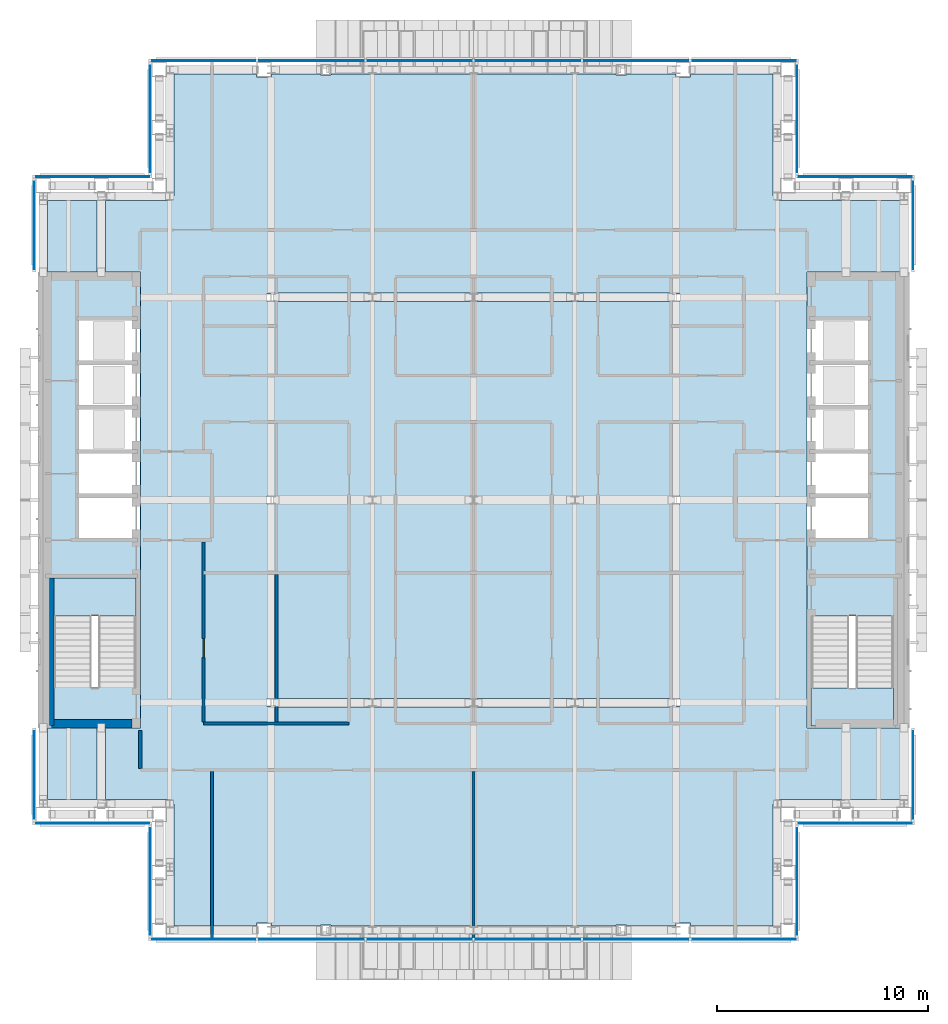
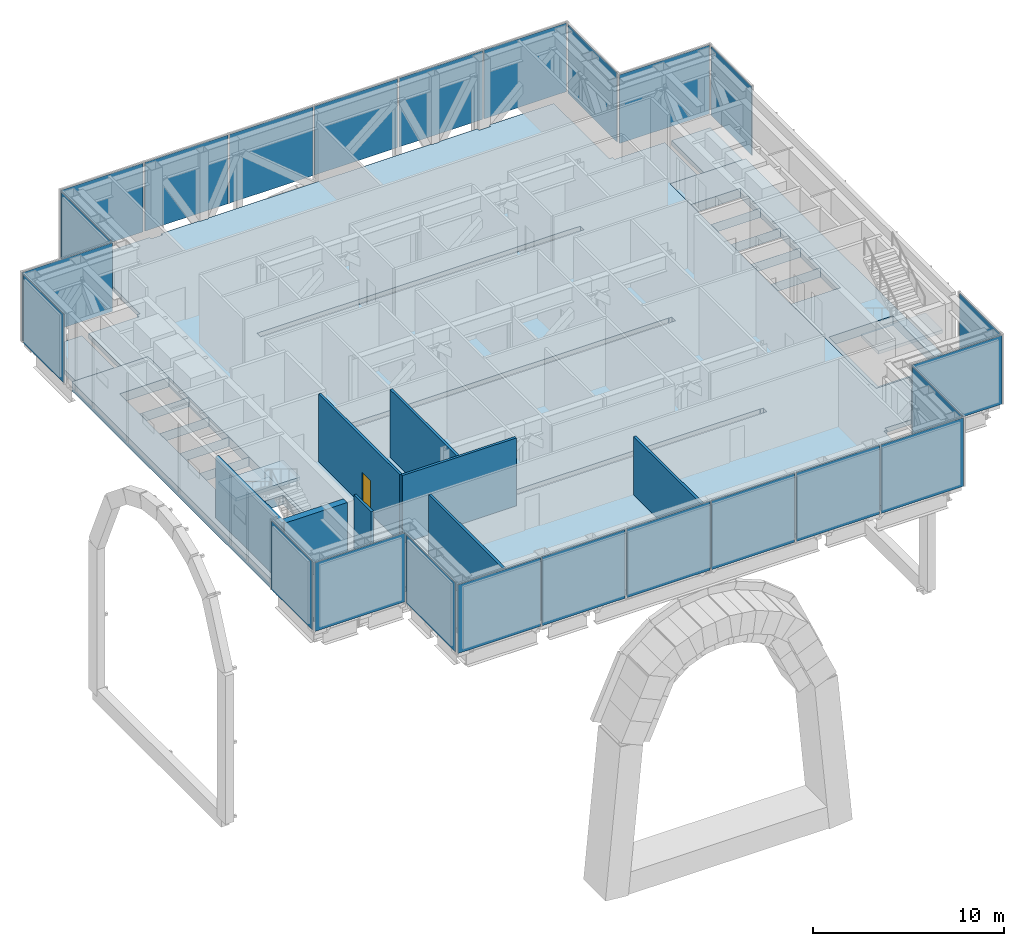
# One storey, part 10 of 26: 24 plates, 9 slabs, 8 walls, 1 door, 1 opening, 16 elements without a shape of their own.
"""IFC4 building model written with IfcOpenShell, lengths in metres."""

from ifc_helpers import new_model, si_unit, direction, frame, frame_2d, origin, origin_2d, place, context, subcontext, project, spatial, polyline, rectangle, outline, extrude, material, layer, layer_set, type_object, element, fill, aggregate, save


model = new_model("IFC4")

# Units and contexts
model_context = context("Model", 3, precision=1e-05, world=origin(), true_north=direction((0.0, 1.0)))
body_context = subcontext(model_context, "Body", "Model", "MODEL_VIEW")
ifc_project = project(units=[si_unit("LENGTHUNIT", "METRE"), si_unit("AREAUNIT", "SQUARE_METRE"), si_unit("VOLUMEUNIT", "CUBIC_METRE"), si_unit("PLANEANGLEUNIT", "RADIAN"), si_unit("MASSUNIT", "GRAM", prefix="KILO")], contexts=[model_context])

# Site, building, storey
site_placement = place(None, origin())
site = spatial("IfcSite", under=ifc_project, at=site_placement, CompositionType="ELEMENT")
building_placement = place(site_placement, origin())
building = spatial("IfcBuilding", under=site, at=building_placement, Name="Cobrizo Arcos Hotel Tower", CompositionType="ELEMENT")
storey_placement = place(building_placement, frame((0.0, 0.0, 236.5)))
storey = spatial("IfcBuildingStorey", under=building, at=storey_placement, Name="L62", CompositionType="ELEMENT", Elevation=236.5)

# Curtain wall, plates
ifc_material_1 = material(Name="Aluminium 6063-T6 anodised bronze", Category="aluminium")
curtain_wall_type = type_object("IfcCurtainWallType", Name="CW-D plant louvre wall", PredefinedType="NOTDEFINED", material=ifc_material_1)
curtain_wall_1_placement = place(storey_placement, origin())
curtain_wall_1 = element("IfcCurtainWall", 1, at=curtain_wall_1_placement, inside=storey, type_object=curtain_wall_type, Name="CW-D L62 S face", PredefinedType="NOTDEFINED")
ifc_material_2 = material(Name="Aluminium composite panel pale metal", Category="aluminium")
ifc_layer_1 = layer(ifc_material_2, 0.06005859375)
ifc_layer_set_1 = layer_set([ifc_layer_1], Name="CW-D spandrel panel")
plate_type = type_object("IfcPlateType", Name="CW-D spandrel panel", PredefinedType="CURTAIN_PANEL", material=ifc_layer_set_1)
plate_1_placement = place(storey_placement, frame((-12.808349609375, -20.824951171875, 0.0), z_axis=(0.0, 0.0, 1.0), x_axis=(1.0, 0.0, 0.0)))
plate_1 = element("IfcPlate", 2, at=plate_1_placement, type_object=plate_type, Name="CW-D insulated panel 1988", PredefinedType="CURTAIN_PANEL", context=body_context, shape_type="SweptSolid", body=[
    extrude(rectangle(XDim=4.9833984375, YDim=0.0400390625, at=origin_2d()), origin(), (0.0, 0.0, 1.0), 4.39990234375),
])
plate_2_placement = place(storey_placement, frame((-7.699951171875, -20.824951171875, 0.0), z_axis=(0.0, 0.0, 1.0), x_axis=(1.0, 0.0, 0.0)))
plate_2 = element("IfcPlate", 3, at=plate_2_placement, type_object=plate_type, Name="CW-D insulated panel 1989", PredefinedType="CURTAIN_PANEL", context=body_context, shape_type="SweptSolid", body=[
    extrude(rectangle(XDim=5.033447265625, YDim=0.0400390625, at=origin_2d()), origin(), (0.0, 0.0, 1.0), 4.39990234375),
])
plate_3_placement = place(storey_placement, frame((-2.566650390625, -20.824951171875, 0.0), z_axis=(0.0, 0.0, 1.0), x_axis=(1.0, 0.0, 0.0)))
plate_3 = element("IfcPlate", 4, at=plate_3_placement, type_object=plate_type, Name="CW-D insulated panel 1990", PredefinedType="CURTAIN_PANEL", context=body_context, shape_type="SweptSolid", body=[
    extrude(rectangle(XDim=5.033447265625, YDim=0.0400390625, at=origin_2d()), origin(), (0.0, 0.0, 1.0), 4.39990234375),
])
plate_4_placement = place(storey_placement, frame((2.566650390625, -20.824951171875, 0.0), z_axis=(0.0, 0.0, 1.0), x_axis=(1.0, 0.0, 0.0)))
plate_4 = element("IfcPlate", 5, at=plate_4_placement, type_object=plate_type, Name="CW-D insulated panel 1991", PredefinedType="CURTAIN_PANEL", context=body_context, shape_type="SweptSolid", body=[
    extrude(rectangle(XDim=5.033447265625, YDim=0.0400390625, at=origin_2d()), origin(), (0.0, 0.0, 1.0), 4.39990234375),
])
plate_5_placement = place(storey_placement, frame((7.699951171875, -20.824951171875, 0.0), z_axis=(0.0, 0.0, 1.0), x_axis=(1.0, 0.0, 0.0)))
plate_5 = element("IfcPlate", 6, at=plate_5_placement, type_object=plate_type, Name="CW-D insulated panel 1992", PredefinedType="CURTAIN_PANEL", context=body_context, shape_type="SweptSolid", body=[
    extrude(rectangle(XDim=5.033447265625, YDim=0.0400390625, at=origin_2d()), origin(), (0.0, 0.0, 1.0), 4.39990234375),
])
plate_6_placement = place(storey_placement, frame((12.808349609375, -20.824951171875, 0.0), z_axis=(0.0, 0.0, 1.0), x_axis=(1.0, 0.0, 0.0)))
plate_6 = element("IfcPlate", 7, at=plate_6_placement, type_object=plate_type, Name="CW-D insulated panel 1993", PredefinedType="CURTAIN_PANEL", context=body_context, shape_type="SweptSolid", body=[
    extrude(rectangle(XDim=4.9833984375, YDim=0.0400390625, at=origin_2d()), origin(), (0.0, 0.0, 1.0), 4.39990234375),
])
aggregate(curtain_wall_1, [plate_1, plate_2, plate_3, plate_4, plate_5, plate_6])

# Curtain wall, plate
curtain_wall_2_placement = place(storey_placement, origin())
curtain_wall_2 = element("IfcCurtainWall", 8, at=curtain_wall_2_placement, inside=storey, type_object=curtain_wall_type, Name="CW-D L62 E face", PredefinedType="NOTDEFINED")
plate_7_placement = place(storey_placement, frame((15.324951171875, -18.074951171875, 0.0), z_axis=(0.0, 0.0, 1.0), x_axis=(0.0, 1.0, 0.0)))
plate_7 = element("IfcPlate", 9, at=plate_7_placement, type_object=plate_type, Name="CW-D insulated panel 1994", PredefinedType="CURTAIN_PANEL", context=body_context, shape_type="SweptSolid", body=[
    extrude(rectangle(XDim=5.14990234375, YDim=0.0400390625, at=origin_2d()), origin(), (0.0, 0.0, 1.0), 4.39990234375),
])
aggregate(curtain_wall_2, [plate_7])

curtain_wall_3_placement = place(storey_placement, origin())
curtain_wall_3 = element("IfcCurtainWall", 10, at=curtain_wall_3_placement, inside=storey, type_object=curtain_wall_type, Name="CW-D L62 S face", PredefinedType="NOTDEFINED")
plate_8_placement = place(storey_placement, frame((18.074951171875, -15.324951171875, 0.0), z_axis=(0.0, 0.0, 1.0), x_axis=(1.0, 0.0, 0.0)))
plate_8 = element("IfcPlate", 11, at=plate_8_placement, type_object=plate_type, Name="CW-D insulated panel 1995", PredefinedType="CURTAIN_PANEL", context=body_context, shape_type="SweptSolid", body=[
    extrude(rectangle(XDim=5.449951171875, YDim=0.0400390625, at=origin_2d()), origin(), (0.0, 0.0, 1.0), 4.39990234375),
])
aggregate(curtain_wall_3, [plate_8])

curtain_wall_4_placement = place(storey_placement, origin())
curtain_wall_4 = element("IfcCurtainWall", 12, at=curtain_wall_4_placement, inside=storey, type_object=curtain_wall_type, Name="CW-D L62 E face", PredefinedType="NOTDEFINED")
plate_9_placement = place(storey_placement, frame((20.824951171875, -13.02490234375, 0.0), z_axis=(0.0, 0.0, 1.0), x_axis=(0.0, 1.0, 0.0)))
plate_9 = element("IfcPlate", 13, at=plate_9_placement, type_object=plate_type, Name="CW-D insulated panel 1996", PredefinedType="CURTAIN_PANEL", context=body_context, shape_type="SweptSolid", body=[
    extrude(rectangle(XDim=4.25, YDim=0.0400390625, at=origin_2d()), origin(), (0.0, 0.0, 1.0), 4.39990234375),
])
aggregate(curtain_wall_4, [plate_9])

curtain_wall_5_placement = place(storey_placement, origin())
curtain_wall_5 = element("IfcCurtainWall", 14, at=curtain_wall_5_placement, inside=storey, type_object=curtain_wall_type, Name="CW-D L62 E face", PredefinedType="NOTDEFINED")
plate_10_placement = place(storey_placement, frame((20.824951171875, 13.02490234375, 0.0), z_axis=(0.0, 0.0, 1.0), x_axis=(0.0, 1.0, 0.0)))
plate_10 = element("IfcPlate", 15, at=plate_10_placement, type_object=plate_type, Name="CW-D insulated panel 1997", PredefinedType="CURTAIN_PANEL", context=body_context, shape_type="SweptSolid", body=[
    extrude(rectangle(XDim=4.25, YDim=0.0400390625, at=origin_2d()), origin(), (0.0, 0.0, 1.0), 4.39990234375),
])
aggregate(curtain_wall_5, [plate_10])

curtain_wall_6_placement = place(storey_placement, origin())
curtain_wall_6 = element("IfcCurtainWall", 16, at=curtain_wall_6_placement, inside=storey, type_object=curtain_wall_type, Name="CW-D L62 N face", PredefinedType="NOTDEFINED")
plate_11_placement = place(storey_placement, frame((18.074951171875, 15.324951171875, 0.0), z_axis=(0.0, 0.0, 1.0), x_axis=(-1.0, 0.0, 0.0)))
plate_11 = element("IfcPlate", 17, at=plate_11_placement, type_object=plate_type, Name="CW-D insulated panel 1998", PredefinedType="CURTAIN_PANEL", context=body_context, shape_type="SweptSolid", body=[
    extrude(rectangle(XDim=5.449951171875, YDim=0.0400390625, at=origin_2d()), origin(), (0.0, 0.0, 1.0), 4.39990234375),
])
aggregate(curtain_wall_6, [plate_11])

curtain_wall_7_placement = place(storey_placement, origin())
curtain_wall_7 = element("IfcCurtainWall", 18, at=curtain_wall_7_placement, inside=storey, type_object=curtain_wall_type, Name="CW-D L62 E face", PredefinedType="NOTDEFINED")
plate_12_placement = place(storey_placement, frame((15.324951171875, 18.074951171875, 0.0), z_axis=(0.0, 0.0, 1.0), x_axis=(0.0, 1.0, 0.0)))
plate_12 = element("IfcPlate", 19, at=plate_12_placement, type_object=plate_type, Name="CW-D insulated panel 1999", PredefinedType="CURTAIN_PANEL", context=body_context, shape_type="SweptSolid", body=[
    extrude(rectangle(XDim=5.14990234375, YDim=0.0400390625, at=origin_2d()), origin(), (0.0, 0.0, 1.0), 4.39990234375),
])
aggregate(curtain_wall_7, [plate_12])

# Curtain wall, plates
curtain_wall_8_placement = place(storey_placement, origin())
curtain_wall_8 = element("IfcCurtainWall", 20, at=curtain_wall_8_placement, inside=storey, type_object=curtain_wall_type, Name="CW-D L62 N face", PredefinedType="NOTDEFINED")
plate_13_placement = place(storey_placement, frame((12.808349609375, 20.824951171875, 0.0), z_axis=(0.0, 0.0, 1.0), x_axis=(-1.0, 0.0, 0.0)))
plate_13 = element("IfcPlate", 21, at=plate_13_placement, type_object=plate_type, Name="CW-D insulated panel 2000", PredefinedType="CURTAIN_PANEL", context=body_context, shape_type="SweptSolid", body=[
    extrude(rectangle(XDim=4.9833984375, YDim=0.0400390625, at=origin_2d()), origin(), (0.0, 0.0, 1.0), 4.39990234375),
])
plate_14_placement = place(storey_placement, frame((7.699951171875, 20.824951171875, 0.0), z_axis=(0.0, 0.0, 1.0), x_axis=(-1.0, 0.0, 0.0)))
plate_14 = element("IfcPlate", 22, at=plate_14_placement, type_object=plate_type, Name="CW-D insulated panel 2001", PredefinedType="CURTAIN_PANEL", context=body_context, shape_type="SweptSolid", body=[
    extrude(rectangle(XDim=5.033447265625, YDim=0.0400390625, at=origin_2d()), origin(), (0.0, 0.0, 1.0), 4.39990234375),
])
plate_15_placement = place(storey_placement, frame((2.566650390625, 20.824951171875, 0.0), z_axis=(0.0, 0.0, 1.0), x_axis=(-1.0, 0.0, 0.0)))
plate_15 = element("IfcPlate", 23, at=plate_15_placement, type_object=plate_type, Name="CW-D insulated panel 2002", PredefinedType="CURTAIN_PANEL", context=body_context, shape_type="SweptSolid", body=[
    extrude(rectangle(XDim=5.033447265625, YDim=0.0400390625, at=origin_2d()), origin(), (0.0, 0.0, 1.0), 4.39990234375),
])
plate_16_placement = place(storey_placement, frame((-2.566650390625, 20.824951171875, 0.0), z_axis=(0.0, 0.0, 1.0), x_axis=(-1.0, 0.0, 0.0)))
plate_16 = element("IfcPlate", 24, at=plate_16_placement, type_object=plate_type, Name="CW-D insulated panel 2003", PredefinedType="CURTAIN_PANEL", context=body_context, shape_type="SweptSolid", body=[
    extrude(rectangle(XDim=5.033447265625, YDim=0.0400390625, at=origin_2d()), origin(), (0.0, 0.0, 1.0), 4.39990234375),
])
plate_17_placement = place(storey_placement, frame((-7.699951171875, 20.824951171875, 0.0), z_axis=(0.0, 0.0, 1.0), x_axis=(-1.0, 0.0, 0.0)))
plate_17 = element("IfcPlate", 25, at=plate_17_placement, type_object=plate_type, Name="CW-D insulated panel 2004", PredefinedType="CURTAIN_PANEL", context=body_context, shape_type="SweptSolid", body=[
    extrude(rectangle(XDim=5.033447265625, YDim=0.0400390625, at=origin_2d()), origin(), (0.0, 0.0, 1.0), 4.39990234375),
])
plate_18_placement = place(storey_placement, frame((-12.808349609375, 20.824951171875, 0.0), z_axis=(0.0, 0.0, 1.0), x_axis=(-1.0, 0.0, 0.0)))
plate_18 = element("IfcPlate", 26, at=plate_18_placement, type_object=plate_type, Name="CW-D insulated panel 2005", PredefinedType="CURTAIN_PANEL", context=body_context, shape_type="SweptSolid", body=[
    extrude(rectangle(XDim=4.9833984375, YDim=0.0400390625, at=origin_2d()), origin(), (0.0, 0.0, 1.0), 4.39990234375),
])
aggregate(curtain_wall_8, [plate_13, plate_14, plate_15, plate_16, plate_17, plate_18])

# Curtain wall, plate
curtain_wall_9_placement = place(storey_placement, origin())
curtain_wall_9 = element("IfcCurtainWall", 27, at=curtain_wall_9_placement, inside=storey, type_object=curtain_wall_type, Name="CW-D L62 W face", PredefinedType="NOTDEFINED")
plate_19_placement = place(storey_placement, frame((-15.324951171875, 18.074951171875, 0.0), z_axis=(0.0, 0.0, 1.0), x_axis=(0.0, -1.0, 0.0)))
plate_19 = element("IfcPlate", 28, at=plate_19_placement, type_object=plate_type, Name="CW-D insulated panel 2006", PredefinedType="CURTAIN_PANEL", context=body_context, shape_type="SweptSolid", body=[
    extrude(rectangle(XDim=5.14990234375, YDim=0.0400390625, at=origin_2d()), origin(), (0.0, 0.0, 1.0), 4.39990234375),
])
aggregate(curtain_wall_9, [plate_19])

curtain_wall_10_placement = place(storey_placement, origin())
curtain_wall_10 = element("IfcCurtainWall", 29, at=curtain_wall_10_placement, inside=storey, type_object=curtain_wall_type, Name="CW-D L62 N face", PredefinedType="NOTDEFINED")
plate_20_placement = place(storey_placement, frame((-18.074951171875, 15.324951171875, 0.0), z_axis=(0.0, 0.0, 1.0), x_axis=(-1.0, 0.0, 0.0)))
plate_20 = element("IfcPlate", 30, at=plate_20_placement, type_object=plate_type, Name="CW-D insulated panel 2007", PredefinedType="CURTAIN_PANEL", context=body_context, shape_type="SweptSolid", body=[
    extrude(rectangle(XDim=5.449951171875, YDim=0.0400390625, at=origin_2d()), origin(), (0.0, 0.0, 1.0), 4.39990234375),
])
aggregate(curtain_wall_10, [plate_20])

curtain_wall_11_placement = place(storey_placement, origin())
curtain_wall_11 = element("IfcCurtainWall", 31, at=curtain_wall_11_placement, inside=storey, type_object=curtain_wall_type, Name="CW-D L62 W face", PredefinedType="NOTDEFINED")
plate_21_placement = place(storey_placement, frame((-20.824951171875, 13.02490234375, 0.0), z_axis=(0.0, 0.0, 1.0), x_axis=(0.0, -1.0, 0.0)))
plate_21 = element("IfcPlate", 32, at=plate_21_placement, type_object=plate_type, Name="CW-D insulated panel 2008", PredefinedType="CURTAIN_PANEL", context=body_context, shape_type="SweptSolid", body=[
    extrude(rectangle(XDim=4.25, YDim=0.0400390625, at=origin_2d()), origin(), (0.0, 0.0, 1.0), 4.39990234375),
])
aggregate(curtain_wall_11, [plate_21])

curtain_wall_12_placement = place(storey_placement, origin())
curtain_wall_12 = element("IfcCurtainWall", 33, at=curtain_wall_12_placement, inside=storey, type_object=curtain_wall_type, Name="CW-D L62 W face", PredefinedType="NOTDEFINED")
plate_22_placement = place(storey_placement, frame((-20.824951171875, -13.02490234375, 0.0), z_axis=(0.0, 0.0, 1.0), x_axis=(0.0, -1.0, 0.0)))
plate_22 = element("IfcPlate", 34, at=plate_22_placement, type_object=plate_type, Name="CW-D insulated panel 2009", PredefinedType="CURTAIN_PANEL", context=body_context, shape_type="SweptSolid", body=[
    extrude(rectangle(XDim=4.25, YDim=0.0400390625, at=origin_2d()), origin(), (0.0, 0.0, 1.0), 4.39990234375),
])
aggregate(curtain_wall_12, [plate_22])

curtain_wall_13_placement = place(storey_placement, origin())
curtain_wall_13 = element("IfcCurtainWall", 35, at=curtain_wall_13_placement, inside=storey, type_object=curtain_wall_type, Name="CW-D L62 S face", PredefinedType="NOTDEFINED")
plate_23_placement = place(storey_placement, frame((-18.074951171875, -15.324951171875, 0.0), z_axis=(0.0, 0.0, 1.0), x_axis=(1.0, 0.0, 0.0)))
plate_23 = element("IfcPlate", 36, at=plate_23_placement, type_object=plate_type, Name="CW-D insulated panel 2010", PredefinedType="CURTAIN_PANEL", context=body_context, shape_type="SweptSolid", body=[
    extrude(rectangle(XDim=5.449951171875, YDim=0.0400390625, at=origin_2d()), origin(), (0.0, 0.0, 1.0), 4.39990234375),
])
aggregate(curtain_wall_13, [plate_23])

curtain_wall_14_placement = place(storey_placement, origin())
curtain_wall_14 = element("IfcCurtainWall", 37, at=curtain_wall_14_placement, inside=storey, type_object=curtain_wall_type, Name="CW-D L62 W face", PredefinedType="NOTDEFINED")
plate_24_placement = place(storey_placement, frame((-15.324951171875, -18.074951171875, 0.0), z_axis=(0.0, 0.0, 1.0), x_axis=(0.0, -1.0, 0.0)))
plate_24 = element("IfcPlate", 38, at=plate_24_placement, type_object=plate_type, Name="CW-D insulated panel 2011", PredefinedType="CURTAIN_PANEL", context=body_context, shape_type="SweptSolid", body=[
    extrude(rectangle(XDim=5.14990234375, YDim=0.0400390625, at=origin_2d()), origin(), (0.0, 0.0, 1.0), 4.39990234375),
])
aggregate(curtain_wall_14, [plate_24])

# Slabs
ifc_material_3 = material(Name="Concrete f'c 35 MPa", Category="concrete")
ifc_layer_2 = layer(ifc_material_3, 0.300048828125)
ifc_layer_set_2 = layer_set([ifc_layer_2], Name="Composite floor slab 300 f'c 35")
slab_type_1 = type_object("IfcSlabType", Name="Composite floor slab 300 f'c 35", PredefinedType="FLOOR", material=ifc_layer_set_2)
slab_1_placement = place(storey_placement, frame((0.0, 0.0, -0.300048828125)))
element("IfcSlab", 39, at=slab_1_placement, inside=storey, type_object=slab_type_1, Name="Floor slab S2, L62, no. 01", PredefinedType="FLOOR", context=body_context, shape_type="SweptSolid", body=[
    extrude(outline(polyline([(20.39990234375, -10.801025390625), (20.199462890625, -10.801025390625), (20.199462890625, -14.199462890625), (17.8505859375, -14.199462890625), (17.8505859375, -10.800048828125), (20.39990234375, -10.800048828125), (20.39990234375, -10.801025390625)])), origin(), (0.0, 0.0, 1.0), 0.300048828125),
])
slab_2_placement = place(storey_placement, frame((0.0, 0.0, -0.300048828125)))
element("IfcSlab", 40, at=slab_2_placement, inside=storey, type_object=slab_type_1, Name="Floor slab S2, L62, no. 02", PredefinedType="FLOOR", context=body_context, shape_type="SweptSolid", body=[
    extrude(outline(polyline([(20.39990234375, 10.800048828125), (17.8505859375, 10.800048828125), (17.8505859375, 14.199462890625), (20.199462890625, 14.199462890625), (20.199462890625, 10.801025390625), (20.39990234375, 10.801025390625), (20.39990234375, 10.800048828125)])), origin(), (0.0, 0.0, 1.0), 0.300048828125),
])
slab_3_placement = place(storey_placement, frame((0.0, 0.0, -0.300048828125)))
element("IfcSlab", 41, at=slab_3_placement, inside=storey, type_object=slab_type_1, Name="Floor slab S2, L62, no. 03", PredefinedType="FLOOR", context=body_context, shape_type="SweptSolid", body=[
    extrude(outline(polyline([(-20.39990234375, 10.801025390625), (-20.199462890625, 10.801025390625), (-20.199462890625, 14.199462890625), (-17.8505859375, 14.199462890625), (-17.8505859375, 10.800048828125), (-20.39990234375, 10.800048828125), (-20.39990234375, 10.801025390625)])), origin(), (0.0, 0.0, 1.0), 0.300048828125),
])
slab_4_placement = place(storey_placement, frame((0.0, 0.0, -0.300048828125)))
element("IfcSlab", 42, at=slab_4_placement, inside=storey, type_object=slab_type_1, Name="Floor slab S2, L62, no. 04", PredefinedType="FLOOR", context=body_context, shape_type="SweptSolid", body=[
    extrude(outline(polyline([(-20.39990234375, -10.800048828125), (-17.8505859375, -10.800048828125), (-17.8505859375, -14.199462890625), (-20.199462890625, -14.199462890625), (-20.199462890625, -10.801025390625), (-20.39990234375, -10.801025390625), (-20.39990234375, -10.800048828125)])), origin(), (0.0, 0.0, 1.0), 0.300048828125),
])
slab_5_placement = place(storey_placement, frame((0.0, 0.0, -0.300048828125)))
element("IfcSlab", 43, at=slab_5_placement, inside=storey, type_object=slab_type_1, Name="Floor slab S2, L62, no. 05", PredefinedType="FLOOR", context=body_context, shape_type="SweptSolid", body=[
    extrude(outline(polyline([(-14.39990234375, 14.39990234375), (-14.199462890625, 14.39990234375), (-14.199462890625, 20.199462890625), (-10.282958984375, 20.199462890625), (-10.282958984375, 20.050048828125), (-9.5830078125, 20.050048828125), (-9.5830078125, 20.199462890625), (-7.25, 20.199462890625), (-7.25, 20.14990234375), (-6.75, 20.14990234375), (-6.75, 20.199462890625), (6.75, 20.199462890625), (6.75, 20.14990234375), (7.25, 20.14990234375), (7.25, 20.199462890625), (9.5830078125, 20.199462890625), (9.5830078125, 20.050048828125), (10.282958984375, 20.050048828125), (10.282958984375, 20.199462890625), (14.199462890625, 20.199462890625), (14.199462890625, 14.39990234375), (14.39990234375, 14.39990234375), (14.39990234375, 14.199462890625), (17.449462890625, 14.199462890625), (17.449462890625, 10.800048828125), (15.800048828125, 10.800048828125), (15.800048828125, -10.800048828125), (17.449462890625, -10.800048828125), (17.449462890625, -14.199462890625), (14.39990234375, -14.199462890625), (14.39990234375, -14.39990234375), (14.199462890625, -14.39990234375), (14.199462890625, -20.199462890625), (10.282958984375, -20.199462890625), (10.282958984375, -20.050048828125), (9.5830078125, -20.050048828125), (9.5830078125, -20.199462890625), (7.25, -20.199462890625), (7.25, -20.14990234375), (6.75, -20.14990234375), (6.75, -20.199462890625), (-6.75, -20.199462890625), (-6.75, -20.14990234375), (-7.25, -20.14990234375), (-7.25, -20.199462890625), (-9.5830078125, -20.199462890625), (-9.5830078125, -20.050048828125), (-10.282958984375, -20.050048828125), (-10.282958984375, -20.199462890625), (-14.199462890625, -20.199462890625), (-14.199462890625, -14.39990234375), (-14.39990234375, -14.39990234375), (-14.39990234375, -14.199462890625), (-17.449462890625, -14.199462890625), (-17.449462890625, -10.800048828125), (-15.800048828125, -10.800048828125), (-15.800048828125, 10.800048828125), (-17.449462890625, 10.800048828125), (-17.449462890625, 14.199462890625), (-14.39990234375, 14.199462890625), (-14.39990234375, 14.39990234375)]), holes=[polyline([(9.60009765625, -9.3994140625), (-9.60009765625, -9.3994140625), (-9.60009765625, -9.413330078125), (-9.78662109375, -9.413330078125), (-9.78662109375, -9.78662109375), (-9.60009765625, -9.78662109375), (-9.60009765625, -9.800537109375), (9.60009765625, -9.800537109375), (9.60009765625, -9.78662109375), (9.78662109375, -9.78662109375), (9.78662109375, -9.413330078125), (9.60009765625, -9.413330078125), (9.60009765625, -9.3994140625)]), polyline([(9.60009765625, -0.200439453125), (9.60009765625, -0.186767578125), (9.78662109375, -0.186767578125), (9.78662109375, 0.186767578125), (9.60009765625, 0.186767578125), (9.60009765625, 0.200439453125), (-9.60009765625, 0.200439453125), (-9.60009765625, 0.186767578125), (-9.78662109375, 0.186767578125), (-9.78662109375, -0.186767578125), (-9.60009765625, -0.186767578125), (-9.60009765625, -0.200439453125), (9.60009765625, -0.200439453125)]), polyline([(9.60009765625, 9.3994140625), (9.60009765625, 9.413330078125), (9.78662109375, 9.413330078125), (9.78662109375, 9.78662109375), (9.60009765625, 9.78662109375), (9.60009765625, 9.800537109375), (-9.60009765625, 9.800537109375), (-9.60009765625, 9.78662109375), (-9.78662109375, 9.78662109375), (-9.78662109375, 9.413330078125), (-9.60009765625, 9.413330078125), (-9.60009765625, 9.3994140625), (9.60009765625, 9.3994140625)])]), origin(), (0.0, 0.0, 1.0), 0.300048828125),
])
ifc_material_4 = material(Name="Concrete f'c 40 MPa", Category="concrete")
ifc_layer_3 = layer(ifc_material_4, 0.60009765625)
ifc_layer_set_3 = layer_set([ifc_layer_3], Name="RC core floor slab 600 f'c 40")
slab_type_2 = type_object("IfcSlabType", Name="RC core floor slab 600 f'c 40", PredefinedType="FLOOR", material=ifc_layer_set_3)
slab_6_placement = place(storey_placement, frame((0.0, 0.0, -0.60009765625)))
element("IfcSlab", 44, at=slab_6_placement, inside=storey, type_object=slab_type_2, Name="Core floor slab CS6, east core, L62", PredefinedType="FLOOR", context=body_context, shape_type="SweptSolid", body=[
    extrude(outline(polyline([(15.800048828125, 10.800048828125), (20.39990234375, 10.800048828125), (20.39990234375, -10.800048828125), (15.800048828125, -10.800048828125), (15.800048828125, 10.800048828125)]), holes=[polyline([(19.89794921875, -10.697998046875), (19.89794921875, -5.501953125), (16.001953125, -5.501953125), (16.001953125, -10.697998046875), (19.89794921875, -10.697998046875)]), polyline([(15.802001953125, 0.197998046875), (15.802001953125, -1.89794921875), (18.798095703125, -1.89794921875), (18.798095703125, 0.197998046875), (15.802001953125, 0.197998046875)]), polyline([(15.802001953125, 2.298095703125), (15.802001953125, 0.201904296875), (18.798095703125, 0.201904296875), (18.798095703125, 2.298095703125), (15.802001953125, 2.298095703125)]), polyline([(15.802001953125, 4.39794921875), (15.802001953125, 2.302001953125), (18.798095703125, 2.302001953125), (18.798095703125, 4.39794921875), (15.802001953125, 4.39794921875)]), polyline([(18.798095703125, 6.498046875), (15.802001953125, 6.498046875), (15.802001953125, 4.402099609375), (18.798095703125, 4.402099609375), (18.798095703125, 6.498046875)]), polyline([(18.798095703125, 8.597900390625), (15.802001953125, 8.597900390625), (15.802001953125, 6.501953125), (18.798095703125, 6.501953125), (18.798095703125, 8.597900390625)])]), origin(), (0.0, 0.0, 1.0), 0.60009765625),
])
slab_7_placement = place(storey_placement, frame((0.0, 0.0, -0.60009765625)))
element("IfcSlab", 45, at=slab_7_placement, inside=storey, type_object=slab_type_2, Name="Core floor slab CS6, west core, L62", PredefinedType="FLOOR", context=body_context, shape_type="SweptSolid", body=[
    extrude(outline(polyline([(-20.39990234375, 10.800048828125), (-15.800048828125, 10.800048828125), (-15.800048828125, -10.800048828125), (-20.39990234375, -10.800048828125), (-20.39990234375, 10.800048828125)]), holes=[polyline([(-19.89794921875, -3.701904296875), (-19.89794921875, -8.89794921875), (-16.001953125, -8.89794921875), (-16.001953125, -3.701904296875), (-19.89794921875, -3.701904296875)]), polyline([(-18.798095703125, 0.197998046875), (-18.798095703125, -1.89794921875), (-15.802001953125, -1.89794921875), (-15.802001953125, 0.197998046875), (-18.798095703125, 0.197998046875)]), polyline([(-18.798095703125, 2.298095703125), (-18.798095703125, 0.201904296875), (-15.802001953125, 0.201904296875), (-15.802001953125, 2.298095703125), (-18.798095703125, 2.298095703125)]), polyline([(-18.798095703125, 4.39794921875), (-18.798095703125, 2.302001953125), (-15.802001953125, 2.302001953125), (-15.802001953125, 4.39794921875), (-18.798095703125, 4.39794921875)]), polyline([(-15.802001953125, 6.498046875), (-18.798095703125, 6.498046875), (-18.798095703125, 4.402099609375), (-15.802001953125, 4.402099609375), (-15.802001953125, 6.498046875)]), polyline([(-15.802001953125, 8.597900390625), (-18.798095703125, 8.597900390625), (-18.798095703125, 6.501953125), (-15.802001953125, 6.501953125), (-15.802001953125, 8.597900390625)])]), origin(), (0.0, 0.0, 1.0), 0.60009765625),
])

# Stair, slab
stair_type = type_object("IfcStairType", Name="Exit stair", PredefinedType="HALF_TURN_STAIR", material=ifc_material_4)
stair_1_placement = place(storey_placement, origin())
stair_1 = element("IfcStair", 46, at=stair_1_placement, inside=storey, type_object=stair_type, Name="L62 Exit stair ST-W", PredefinedType="HALF_TURN_STAIR")
ifc_layer_4 = layer(ifc_material_4, 0.199951171875)
ifc_layer_set_4 = layer_set([ifc_layer_4], Name="Stair landing")
slab_type_3 = type_object("IfcSlabType", Name="Stair landing", PredefinedType="LANDING", material=ifc_layer_set_4)
slab_8_placement = place(storey_placement, frame((0.0, 0.0, 2.050048828125)))
slab_8 = element("IfcSlab", 47, at=slab_8_placement, type_object=slab_type_3, Name="ST-W landing 1", PredefinedType="LANDING", context=body_context, shape_type="SweptSolid", body=[
    extrude(outline(polyline([(-16.0, -5.5), (-16.0, -3.699951171875), (-19.89990234375, -3.699951171875), (-19.89990234375, -5.5), (-16.0, -5.5)])), origin(), (0.0, 0.0, 1.0), 0.199951171875),
])
aggregate(stair_1, [slab_8])

stair_2_placement = place(storey_placement, origin())
stair_2 = element("IfcStair", 48, at=stair_2_placement, inside=storey, type_object=stair_type, Name="L62 Exit stair ST-E", PredefinedType="HALF_TURN_STAIR")
slab_9_placement = place(storey_placement, frame((0.0, 0.0, 2.050048828125)))
slab_9 = element("IfcSlab", 49, at=slab_9_placement, type_object=slab_type_3, Name="ST-E landing 1", PredefinedType="LANDING", context=body_context, shape_type="SweptSolid", body=[
    extrude(outline(polyline([(16.0, -8.89990234375), (16.0, -10.699951171875), (19.89990234375, -10.699951171875), (19.89990234375, -8.89990234375), (16.0, -8.89990234375)])), origin(), (0.0, 0.0, 1.0), 0.199951171875),
])
aggregate(stair_2, [slab_9])

# Walls
ifc_material_5 = material(Name="Gypsum board partition")
ifc_layer_5 = layer(ifc_material_5, 0.14990234375)
ifc_layer_set_5 = layer_set([ifc_layer_5], Name="Corridor wall EI 60 150")
wall_type_1 = type_object("IfcWallType", Name="Corridor wall EI 60 150", PredefinedType="PARTITIONING", material=ifc_layer_set_5)
wall_1_placement = place(storey_placement, frame((-12.800048828125, -10.60009765625, 0.0), z_axis=(0.0, 0.0, 1.0), x_axis=(1.0, 0.0, 0.0)))
element("IfcWall", 50, at=wall_1_placement, inside=storey, type_object=wall_type_1, Name="Partition 002", PredefinedType="PARTITIONING", context=body_context, shape_type="SweptSolid", body=[
    extrude(rectangle(XDim=6.900146484375, YDim=0.14990234375, at=frame_2d((3.4501953125, 0.0))), origin(), (0.0, 0.0, 1.0), 4.35009765625),
])
wall_2_placement = place(storey_placement, frame((-15.800048828125, -12.72509765625, 0.0), z_axis=(0.0, 0.0, 1.0), x_axis=(0.0, 1.0, 0.0)))
element("IfcWall", 51, at=wall_2_placement, inside=storey, type_object=wall_type_1, Name="Partition 044", PredefinedType="PARTITIONING", context=body_context, shape_type="SweptSolid", body=[
    extrude(rectangle(XDim=1.80517578125, YDim=0.14990234375, at=frame_2d((0.902587890625, 0.0))), origin(), (0.0, 0.0, 1.0), 4.35009765625),
])

# Wall, opening, door
wall_3_placement = place(storey_placement, frame((-12.800048828125, -10.52490234375, 0.0), z_axis=(0.0, 0.0, 1.0), x_axis=(0.0, 1.0, 0.0)))
wall_3 = element("IfcWall", 52, at=wall_3_placement, inside=storey, type_object=wall_type_1, Name="Partition 046", PredefinedType="PARTITIONING", context=body_context, shape_type="SweptSolid", body=[
    extrude(rectangle(XDim=8.52490234375, YDim=0.14990234375, at=frame_2d((4.262451171875, 0.0))), origin(), (0.0, 0.0, 1.0), 4.35009765625),
])
opening_placement = place(wall_3_placement, frame((3.050048828125, 0.0, 0.0)))
opening = element("IfcOpeningElement", 53, at=opening_placement, cuts=wall_3, Name="Opening RD-28", PredefinedType="OPENING", context=body_context, shape_type="SweptSolid", body=[
    extrude(rectangle(XDim=0.89990234375, YDim=2.10009765625, at=frame_2d((0.449951171875, 1.050048828125))), frame((0.0, 0.0869140625, 0.0), z_axis=(0.0, -1.0, 0.0), x_axis=(1.0, 0.0, 0.0)), (0.0, 0.0, 1.0), 0.173828125),
])
ifc_material_6 = material(Name="Timber door leaf", Category="wood")
door_type = type_object("IfcDoorType", Name="Room door FD30 900x2100", OperationType="SINGLE_SWING_LEFT", PredefinedType="DOOR", material=ifc_material_6)
door_placement = place(opening_placement, origin())
door = element("IfcDoor", 54, at=door_placement, inside=storey, type_object=door_type, Name="Door RD-28", OperationType="SINGLE_SWING_RIGHT", OverallHeight=2.10009765625, OverallWidth=0.89990234375, PredefinedType="DOOR", context=body_context, shape_type="SweptSolid", body=[
    extrude(rectangle(XDim=0.89990234375, YDim=2.10009765625, at=frame_2d((0.449951171875, 1.050048828125))), frame((0.0, 0.02490234375, 0.0), z_axis=(0.0, -1.0, 0.0), x_axis=(1.0, 0.0, 0.0)), (0.0, 0.0, 1.0), 0.050048828125),
])
fill(opening, door)

# Walls
wall_4_placement = place(storey_placement, frame((-12.39990234375, -20.780029296875, 0.0), z_axis=(0.0, 0.0, 1.0), x_axis=(0.0, 1.0, 0.0)))
element("IfcWall", 55, at=wall_4_placement, inside=storey, type_object=wall_type_1, Name="Partition 049", PredefinedType="PARTITIONING", context=body_context, shape_type="SweptSolid", body=[
    extrude(rectangle(XDim=7.905029296875, YDim=0.14990234375, at=frame_2d((3.95263671875, 0.0))), origin(), (0.0, 0.0, 1.0), 4.35009765625),
])
wall_5_placement = place(storey_placement, frame((-9.35009765625, -10.52490234375, 0.0), z_axis=(0.0, 0.0, 1.0), x_axis=(0.0, 1.0, 0.0)))
element("IfcWall", 56, at=wall_5_placement, inside=storey, type_object=wall_type_1, Name="Partition 052", PredefinedType="PARTITIONING", context=body_context, shape_type="SweptSolid", body=[
    extrude(rectangle(XDim=7.0, YDim=0.14990234375, at=frame_2d((3.5, 0.0))), origin(), (0.0, 0.0, 1.0), 4.35009765625),
])
wall_6_placement = place(storey_placement, frame((0.0, -20.780029296875, 0.0), z_axis=(0.0, 0.0, 1.0), x_axis=(0.0, 1.0, 0.0)))
element("IfcWall", 57, at=wall_6_placement, inside=storey, type_object=wall_type_1, Name="Partition 059", PredefinedType="PARTITIONING", context=body_context, shape_type="SweptSolid", body=[
    extrude(rectangle(XDim=7.905029296875, YDim=0.14990234375, at=frame_2d((3.95263671875, 0.0))), origin(), (0.0, 0.0, 1.0), 3.72802734375),
])
ifc_layer_6 = layer(ifc_material_4, 0.39990234375)
ifc_layer_set_6 = layer_set([ifc_layer_6], Name="RC core wall 400 f'c 40")
wall_type_2 = type_object("IfcWallType", Name="RC core wall 400 f'c 40", PredefinedType="SHEAR", material=ifc_layer_set_6)
wall_7_placement = place(storey_placement, frame((-20.0, -10.60009765625, 0.0), z_axis=(0.0, 0.0, 1.0), x_axis=(1.0, 0.0, 0.0)))
element("IfcWall", 58, at=wall_7_placement, inside=storey, type_object=wall_type_2, Name="Core wall CW4, west core, south end, L62", PredefinedType="SHEAR", context=body_context, shape_type="SweptSolid", body=[
    extrude(rectangle(XDim=3.800048828125, YDim=0.39990234375, at=frame_2d((1.89990234375, 0.0))), origin(), (0.0, 0.0, 1.0), 3.89990234375),
])
ifc_layer_7 = layer(ifc_material_4, 0.199951171875)
ifc_layer_set_7 = layer_set([ifc_layer_7], Name="Stair shaft wall 200")
wall_type_3 = type_object("IfcWallType", Name="Stair shaft wall 200", PredefinedType="SHEAR", material=ifc_layer_set_7)
wall_8_placement = place(storey_placement, frame((-20.0, -10.679931640625, 0.0), z_axis=(0.0, 0.0, 1.0), x_axis=(0.0, 1.0, 0.0)))
element("IfcWall", 59, at=wall_8_placement, inside=storey, type_object=wall_type_3, Name="Stair shaft wall W", PredefinedType="SHEAR", context=body_context, shape_type="SweptSolid", body=[
    extrude(rectangle(XDim=6.97998046875, YDim=0.199951171875, at=frame_2d((3.489990234375, 0.0))), origin(), (0.0, 0.0, 1.0), 3.89990234375),
])

save(model, "model.ifc")
